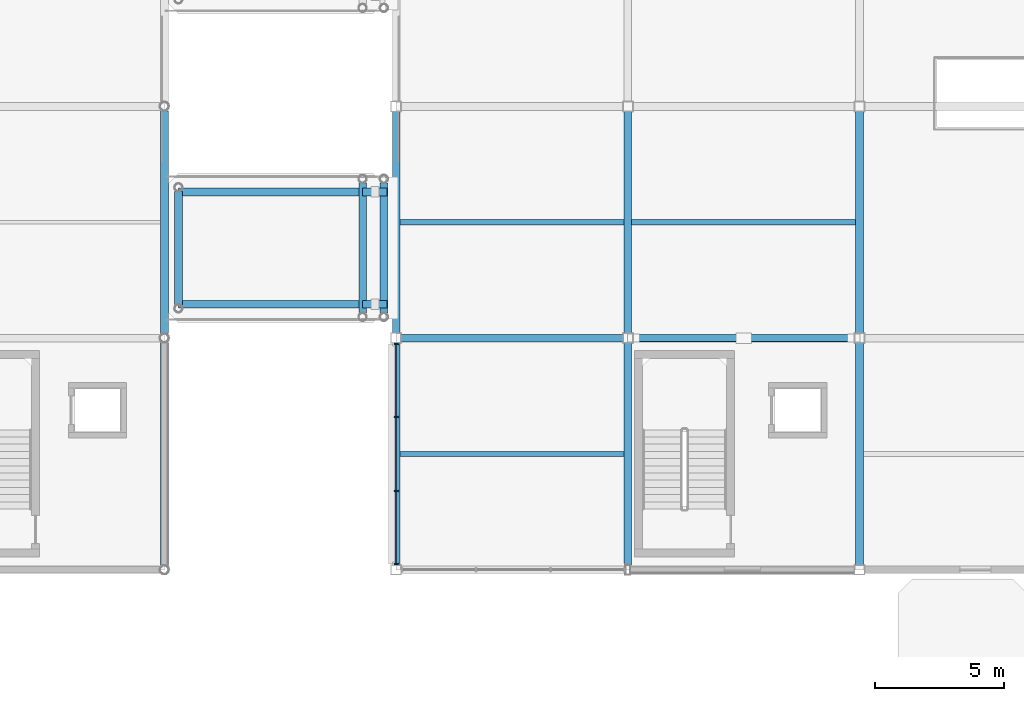
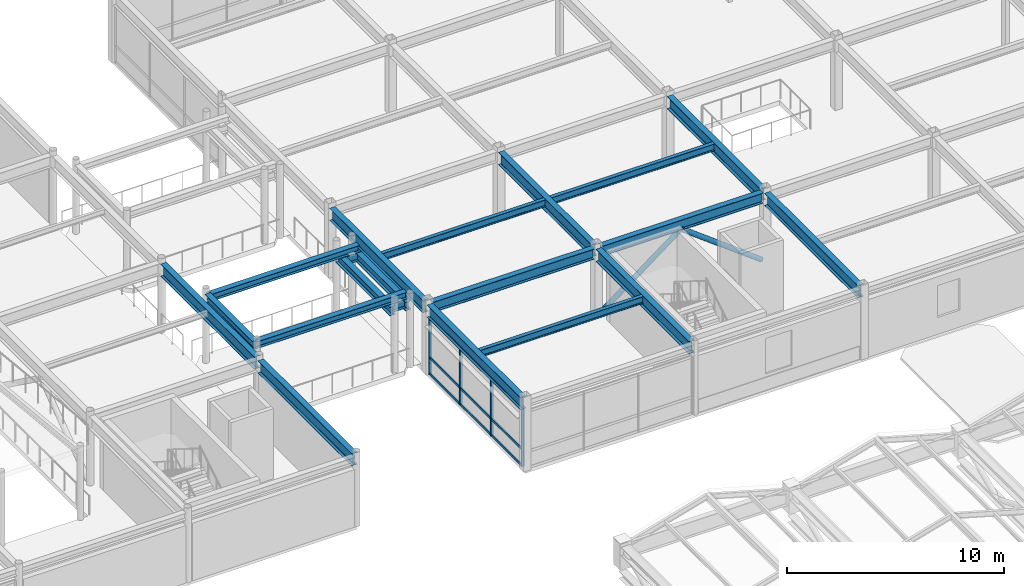
# One storey, part 37 of 108: 20 beams, 15 members, 1 element without a shape of its own.
"""IFC4 building model written with IfcOpenShell, lengths in metres."""

import ifcopenshell
import ifcopenshell.guid

model = None  # the IFC model being written
_history = None  # IfcOwnerHistory: only IFC2X3 demands one
_inside = {}  # id of a spatial element -> (the spatial element, [elements in it])
_under = {}  # id of a project, library or spatial element -> (it, [spatial elements below it])
_declared = {}  # id of a project -> (the project, [libraries it declares])
_typed = {}  # id of a type object -> (the type object, [elements of that type])
_made_of = {}  # id of a material, layer set ... -> (it, [elements and type objects made of it])


def new_model(schema):
    """Start an empty IFC model of exactly this schema.

    Asked for "IFC4X3", IfcOpenShell would pick the latest addendum, in which some entities
    have other attributes; the version numbers below select the first issue.
    IFC2X3 requires an IfcOwnerHistory on every rooted entity: one is made here for all.
    """
    global model, _history
    if schema == "IFC4X3":
        model = ifcopenshell.file(schema_version=(4, 3, 0, 0))
    else:
        model = ifcopenshell.file(schema=schema)
    _inside.clear()
    _under.clear()
    _declared.clear()
    _typed.clear()
    _made_of.clear()
    _history = None
    if model.schema == "IFC2X3":
        org = make("IfcOrganization", Name="unknown")
        user = make(
            "IfcPersonAndOrganization",
            ThePerson=make("IfcPerson", FamilyName="unknown"),
            TheOrganization=org,
        )
        app = make(
            "IfcApplication",
            ApplicationDeveloper=org,
            Version="unknown",
            ApplicationFullName="unknown",
            ApplicationIdentifier="unknown",
        )
        _history = make(
            "IfcOwnerHistory",
            OwningUser=user,
            OwningApplication=app,
            ChangeAction="ADDED",
            CreationDate=0,
        )
    return model


def make(cls, **values):
    """One entity of the class cls with the attributes given. An attribute that is None is left unset."""
    return model.create_entity(
        cls, **{name: value for name, value in values.items() if value is not None}
    )


def rooted(cls, **values):
    """An entity with a GlobalId (a new one), such as an element, a storey or a relation."""
    return make(cls, GlobalId=ifcopenshell.guid.new(), OwnerHistory=_history, **values)


def si_unit(unit_type, name, prefix=None):
    """IfcSIUnit, for example si_unit("LENGTHUNIT", "METRE", prefix="MILLI")."""
    return make("IfcSIUnit", UnitType=unit_type, Prefix=prefix, Name=name)


def assignment(units):
    """IfcUnitAssignment: the units of a project."""
    return None if units is None else make("IfcUnitAssignment", Units=units)


def point(xyz):
    """IfcCartesianPoint."""
    return None if xyz is None else make("IfcCartesianPoint", Coordinates=xyz)


def direction(xyz):
    """IfcDirection."""
    return None if xyz is None else make("IfcDirection", DirectionRatios=xyz)


def frame(location, z_axis=None, x_axis=None):
    """IfcAxis2Placement3D, a coordinate frame: its origin and axes. An axis left out is left unset."""
    return make(
        "IfcAxis2Placement3D",
        Location=point(location),
        Axis=direction(z_axis),
        RefDirection=direction(x_axis),
    )


def frame_2d(location, x_axis=None):
    """IfcAxis2Placement2D, a coordinate frame in the plane: its origin and x axis."""
    return make(
        "IfcAxis2Placement2D", Location=point(location), RefDirection=direction(x_axis)
    )


def origin():
    """The frame at (0, 0, 0) with its axes left unset."""
    return frame((0.0, 0.0, 0.0))


def origin_2d():
    """The frame at (0, 0) in the plane with its x axis left unset."""
    return frame_2d((0.0, 0.0))


def place(relative_to, where):
    """IfcLocalPlacement: puts the frame where relative to a parent placement (None: the world)."""
    return make(
        "IfcLocalPlacement", PlacementRelTo=relative_to, RelativePlacement=where
    )


def context(
    kind, dimensions, precision=None, world=None, true_north=None, identifier=None
):
    """IfcGeometricRepresentationContext, for example the 3D "Model" context."""
    return make(
        "IfcGeometricRepresentationContext",
        ContextIdentifier=identifier,
        ContextType=kind,
        CoordinateSpaceDimension=dimensions,
        Precision=precision,
        WorldCoordinateSystem=world,
        TrueNorth=true_north,
    )


def subcontext(parent, identifier, kind, view, scale=None):
    """IfcGeometricRepresentationSubContext, for example "Body" below "Model"."""
    return make(
        "IfcGeometricRepresentationSubContext",
        ContextIdentifier=identifier,
        ContextType=kind,
        ParentContext=parent,
        TargetScale=scale,
        TargetView=view,
    )


def project(units=None, contexts=None):
    """IfcProject with its units and contexts."""
    return rooted(
        "IfcProject",
        Name="project",
        RepresentationContexts=contexts,
        UnitsInContext=assignment(units),
    )


def spatial(cls, under=None, at=None, **own):
    """A site, building, storey or space (cls), placed at a placement, below another one or the project."""
    s = rooted(cls, ObjectPlacement=at, **own)
    if under is not None:
        _under.setdefault(under.id(), (under, []))[1].append(s)
    return s


def profile(cls, at=None, kind="AREA", **sizes):
    """A parametric profile (cls). Its sizes go by their IFC names, for example OverallWidth=200.0."""
    return make(cls, ProfileType=kind, Position=at, **sizes)


def rectangle(**sizes):
    """IfcRectangleProfileDef."""
    return profile("IfcRectangleProfileDef", **sizes)


def hollow_circle(**sizes):
    """IfcCircleHollowProfileDef."""
    return profile("IfcCircleHollowProfileDef", **sizes)


def i_section(**sizes):
    """IfcIShapeProfileDef."""
    return profile("IfcIShapeProfileDef", **sizes)


def extrude(swept, where, along, depth):
    """IfcExtrudedAreaSolid: the profile swept, set in the frame where, extruded along a direction by depth."""
    return make(
        "IfcExtrudedAreaSolid",
        SweptArea=swept,
        Position=where,
        ExtrudedDirection=direction(along),
        Depth=depth,
    )


def shape(context_of_items, identifier, shape_type, items):
    """IfcShapeRepresentation: the items that make up one representation, for example the "Body"."""
    return make(
        "IfcShapeRepresentation",
        ContextOfItems=context_of_items,
        RepresentationIdentifier=identifier,
        RepresentationType=shape_type,
        Items=items,
    )


def material(Name=None, Category=None):
    """IfcMaterial."""
    return make("IfcMaterial", Name=Name, Category=Category)


def material_profile(
    of_material, cross_section, Name=None, Category=None, Priority=None
):
    """IfcMaterialProfile: a cross section and its material."""
    return make(
        "IfcMaterialProfile",
        Name=Name,
        Material=of_material,
        Profile=cross_section,
        Priority=Priority,
        Category=Category,
    )


def profile_set(profiles, Name=None, composite=None):
    """IfcMaterialProfileSet."""
    return make(
        "IfcMaterialProfileSet",
        Name=Name,
        MaterialProfiles=profiles,
        CompositeProfile=composite,
    )


def made_of(thing, what):
    """Note that an element or type object is made of a material, layer set ...; save() writes the relation."""
    if what is not None:
        _made_of.setdefault(what.id(), (what, []))[1].append(thing)
    return thing


def type_object(cls, material=None, **own):
    """A type object (cls), such as IfcWallType, which elements share."""
    return made_of(rooted(cls, **own), material)


def element(
    cls,
    number,
    at=None,
    inside=None,
    cuts=None,
    type_object=None,
    material=None,
    context=None,
    identifier="Body",
    shape_type=None,
    held_by="IfcProductDefinitionShape",
    body=None,
    shapes=None,
    **own,
):
    """One element of the class cls, such as IfcWall. Its Tag is "e" and its number.

    at: its placement. inside: the storey or other place that contains it. cuts: it is an
    opening in that element (IfcRelVoidsElement). A single representation is given by context,
    identifier, shape_type and body (its items); several are given by shapes. held_by: the class
    of the entity that holds the representations. save() writes the other relations.
    """
    e = rooted(cls, Tag="e%d" % number, ObjectPlacement=at, **own)
    if body is not None:
        shapes = [shape(context, identifier, shape_type, body)]
    if shapes is not None:
        e.Representation = make(held_by, Representations=shapes)
    if inside is not None:
        _inside.setdefault(inside.id(), (inside, []))[1].append(e)
    if cuts is not None:
        rooted(
            "IfcRelVoidsElement", RelatingBuildingElement=cuts, RelatedOpeningElement=e
        )
    if type_object is not None:
        _typed.setdefault(type_object.id(), (type_object, []))[1].append(e)
    return made_of(e, material)


def aggregate(whole, parts):
    """IfcRelAggregates: a whole, such as a stair, and the parts it consists of."""
    return rooted("IfcRelAggregates", RelatingObject=whole, RelatedObjects=parts)


def save(model, path):
    """Write the relations noted so far, then the file.

    IfcRelAggregates (storeys below a building ...), IfcRelContainedInSpatialStructure (elements
    in a storey), IfcRelDefinesByType, IfcRelAssociatesMaterial and IfcRelDeclares: one each for
    every whole, place, type object, material and project.
    """
    for whole, parts in _under.values():
        aggregate(whole, parts)
    for where, things in _inside.values():
        rooted(
            "IfcRelContainedInSpatialStructure",
            RelatedElements=things,
            RelatingStructure=where,
        )
    for kind, things in _typed.values():
        rooted("IfcRelDefinesByType", RelatedObjects=things, RelatingType=kind)
    for what, things in _made_of.values():
        rooted("IfcRelAssociatesMaterial", RelatedObjects=things, RelatingMaterial=what)
    for by, libraries in _declared.values():
        rooted("IfcRelDeclares", RelatingContext=by, RelatedDefinitions=libraries)
    model.write(path)


model = new_model("IFC4")

# Units and contexts
model_context = context("Model", 3, precision=1e-05, world=origin(), true_north=direction((0.0, 1.0)))
body_context = subcontext(model_context, "Body", "Model", "MODEL_VIEW")
ifc_project = project(units=[si_unit("LENGTHUNIT", "METRE"), si_unit("AREAUNIT", "SQUARE_METRE"), si_unit("VOLUMEUNIT", "CUBIC_METRE"), si_unit("PLANEANGLEUNIT", "RADIAN"), si_unit("MASSUNIT", "GRAM", prefix="KILO")], contexts=[model_context])

# Site, building, storey
site_placement = place(None, origin())
site = spatial("IfcSite", under=ifc_project, at=site_placement, CompositionType="ELEMENT")
building_placement = place(site_placement, origin())
building = spatial("IfcBuilding", under=site, at=building_placement, Name="Suzunagisa Mobility Hub", CompositionType="ELEMENT")
storey_placement = place(building_placement, frame((0.0, 0.0, 9.300048828125)))
storey = spatial("IfcBuildingStorey", under=building, at=storey_placement, Name="L02", CompositionType="ELEMENT", Elevation=9.300048828125)

# Curtain wall, members
ifc_material_1 = material(Name="Thermally Broken Anodized Aluminum and Low-E Glazing", Category="aluminium")
curtain_wall_type = type_object("IfcCurtainWallType", Name="Unitised Curtain Wall CW-18 8500x3200", PredefinedType="USERDEFINED", material=ifc_material_1)
curtain_wall_placement = place(storey_placement, origin())
curtain_wall = element("IfcCurtainWall", 1, at=curtain_wall_placement, inside=storey, type_object=curtain_wall_type, Name="L02 Unitised Curtain Wall CW-120", ObjectType="UNITISED CURTAIN WALL", PredefinedType="USERDEFINED")
ifc_material_2 = material(Name="Anodized Aluminum 6063-T6", Category="aluminium")
ifc_material_profile_1 = material_profile(ifc_material_2, rectangle(XDim=0.06494140625, YDim=0.139892578125, at=origin_2d()), Name="TRAN-65x140")
ifc_profile_set_1 = profile_set([ifc_material_profile_1], Name="Anodized Aluminum 6063-T6")
member_type_1 = type_object("IfcMemberType", Name="Curtain Wall Framing CM-01 TRAN-65x140", PredefinedType="USERDEFINED", material=ifc_profile_set_1)
member_1_placement = place(storey_placement, frame((45.0, 88.741943359375, 0.032470703125), z_axis=(0.0, -1.0, 0.0), x_axis=(1.0, 0.0, 0.0)))
member_1 = element("IfcMember", 2, at=member_1_placement, type_object=member_type_1, Name="Curtain Wall Transom 120-T1.1", ObjectType="TRANSOM", PredefinedType="USERDEFINED", context=body_context, shape_type="SweptSolid", body=[
    extrude(rectangle(XDim=0.06494140625, YDim=0.139892578125, at=origin_2d()), origin(), (0.0, 0.0, 1.0), 2.78076171875),
])
member_2_placement = place(storey_placement, frame((45.0, 88.741943359375, 0.949951171875), z_axis=(0.0, -1.0, 0.0), x_axis=(1.0, 0.0, 0.0)))
member_2 = element("IfcMember", 3, at=member_2_placement, type_object=member_type_1, Name="Curtain Wall Transom 120-T1.2", ObjectType="TRANSOM", PredefinedType="USERDEFINED", context=body_context, shape_type="SweptSolid", body=[
    extrude(rectangle(XDim=0.06494140625, YDim=0.139892578125, at=origin_2d()), origin(), (0.0, 0.0, 1.0), 2.78076171875),
])
member_3_placement = place(storey_placement, frame((45.0, 88.741943359375, 3.217529296875), z_axis=(0.0, -1.0, 0.0), x_axis=(1.0, 0.0, 0.0)))
member_3 = element("IfcMember", 4, at=member_3_placement, type_object=member_type_1, Name="Curtain Wall Transom 120-T1.3", ObjectType="TRANSOM", PredefinedType="USERDEFINED", context=body_context, shape_type="SweptSolid", body=[
    extrude(rectangle(XDim=0.06494140625, YDim=0.139892578125, at=origin_2d()), origin(), (0.0, 0.0, 1.0), 2.78076171875),
])
member_4_placement = place(storey_placement, frame((45.0, 85.9052734375, 0.032470703125), z_axis=(0.0, -1.0, 0.0), x_axis=(1.0, 0.0, 0.0)))
member_4 = element("IfcMember", 5, at=member_4_placement, type_object=member_type_1, Name="Curtain Wall Transom 120-T2.1", ObjectType="TRANSOM", PredefinedType="USERDEFINED", context=body_context, shape_type="SweptSolid", body=[
    extrude(rectangle(XDim=0.06494140625, YDim=0.139892578125, at=origin_2d()), origin(), (0.0, 0.0, 1.0), 2.810546875),
])
member_5_placement = place(storey_placement, frame((45.0, 85.9052734375, 0.949951171875), z_axis=(0.0, -1.0, 0.0), x_axis=(1.0, 0.0, 0.0)))
member_5 = element("IfcMember", 6, at=member_5_placement, type_object=member_type_1, Name="Curtain Wall Transom 120-T2.2", ObjectType="TRANSOM", PredefinedType="USERDEFINED", context=body_context, shape_type="SweptSolid", body=[
    extrude(rectangle(XDim=0.06494140625, YDim=0.139892578125, at=origin_2d()), origin(), (0.0, 0.0, 1.0), 2.810546875),
])
member_6_placement = place(storey_placement, frame((45.0, 85.9052734375, 3.217529296875), z_axis=(0.0, -1.0, 0.0), x_axis=(1.0, 0.0, 0.0)))
member_6 = element("IfcMember", 7, at=member_6_placement, type_object=member_type_1, Name="Curtain Wall Transom 120-T2.3", ObjectType="TRANSOM", PredefinedType="USERDEFINED", context=body_context, shape_type="SweptSolid", body=[
    extrude(rectangle(XDim=0.06494140625, YDim=0.139892578125, at=origin_2d()), origin(), (0.0, 0.0, 1.0), 2.810546875),
])
member_7_placement = place(storey_placement, frame((45.0, 83.038818359375, 0.032470703125), z_axis=(0.0, -1.0, 0.0), x_axis=(1.0, 0.0, 0.0)))
member_7 = element("IfcMember", 8, at=member_7_placement, type_object=member_type_1, Name="Curtain Wall Transom 120-T3.1", ObjectType="TRANSOM", PredefinedType="USERDEFINED", context=body_context, shape_type="SweptSolid", body=[
    extrude(rectangle(XDim=0.06494140625, YDim=0.139892578125, at=origin_2d()), origin(), (0.0, 0.0, 1.0), 2.78076171875),
])
member_8_placement = place(storey_placement, frame((45.0, 83.038818359375, 0.949951171875), z_axis=(0.0, -1.0, 0.0), x_axis=(1.0, 0.0, 0.0)))
member_8 = element("IfcMember", 9, at=member_8_placement, type_object=member_type_1, Name="Curtain Wall Transom 120-T3.2", ObjectType="TRANSOM", PredefinedType="USERDEFINED", context=body_context, shape_type="SweptSolid", body=[
    extrude(rectangle(XDim=0.06494140625, YDim=0.139892578125, at=origin_2d()), origin(), (0.0, 0.0, 1.0), 2.78076171875),
])
member_9_placement = place(storey_placement, frame((45.0, 83.038818359375, 3.217529296875), z_axis=(0.0, -1.0, 0.0), x_axis=(1.0, 0.0, 0.0)))
member_9 = element("IfcMember", 10, at=member_9_placement, type_object=member_type_1, Name="Curtain Wall Transom 120-T3.3", ObjectType="TRANSOM", PredefinedType="USERDEFINED", context=body_context, shape_type="SweptSolid", body=[
    extrude(rectangle(XDim=0.06494140625, YDim=0.139892578125, at=origin_2d()), origin(), (0.0, 0.0, 1.0), 2.78076171875),
])
ifc_material_profile_2 = material_profile(ifc_material_2, rectangle(XDim=0.06005859375, YDim=0.14990234375, at=origin_2d()), Name="MULL-60x150")
ifc_profile_set_2 = profile_set([ifc_material_profile_2], Name="Anodized Aluminum 6063-T6")
member_type_2 = type_object("IfcMemberType", Name="Curtain Wall Framing CM-03 MULL-60x150", PredefinedType="MULLION", material=ifc_profile_set_2)
member_10_placement = place(storey_placement, frame((45.0, 88.77001953125, 0.0), z_axis=(0.0, 0.0, 1.0), x_axis=(0.0, -1.0, 0.0)))
member_10 = element("IfcMember", 11, at=member_10_placement, type_object=member_type_2, Name="Curtain Wall Mullion 120-M1", PredefinedType="MULLION", context=body_context, shape_type="SweptSolid", body=[
    extrude(rectangle(XDim=0.06005859375, YDim=0.14990234375, at=origin_2d()), origin(), (0.0, 0.0, 1.0), 3.25),
])
member_11_placement = place(storey_placement, frame((45.0, 85.933349609375, 0.0), z_axis=(0.0, 0.0, 1.0), x_axis=(0.0, -1.0, 0.0)))
member_11 = element("IfcMember", 12, at=member_11_placement, type_object=member_type_2, Name="Curtain Wall Mullion 120-M2", PredefinedType="MULLION", context=body_context, shape_type="SweptSolid", body=[
    extrude(rectangle(XDim=0.06005859375, YDim=0.14990234375, at=origin_2d()), origin(), (0.0, 0.0, 1.0), 3.25),
])
member_12_placement = place(storey_placement, frame((45.0, 83.066650390625, 0.0), z_axis=(0.0, 0.0, 1.0), x_axis=(0.0, -1.0, 0.0)))
member_12 = element("IfcMember", 13, at=member_12_placement, type_object=member_type_2, Name="Curtain Wall Mullion 120-M3", PredefinedType="MULLION", context=body_context, shape_type="SweptSolid", body=[
    extrude(rectangle(XDim=0.06005859375, YDim=0.14990234375, at=origin_2d()), origin(), (0.0, 0.0, 1.0), 3.25),
])
member_13_placement = place(storey_placement, frame((45.0, 80.22998046875, 0.0), z_axis=(0.0, 0.0, 1.0), x_axis=(0.0, -1.0, 0.0)))
member_13 = element("IfcMember", 14, at=member_13_placement, type_object=member_type_2, Name="Curtain Wall Mullion 120-M4", PredefinedType="MULLION", context=body_context, shape_type="SweptSolid", body=[
    extrude(rectangle(XDim=0.06005859375, YDim=0.14990234375, at=origin_2d()), origin(), (0.0, 0.0, 1.0), 3.25),
])
aggregate(curtain_wall, [member_10, member_11, member_12, member_13, member_1, member_2, member_3, member_4, member_5, member_6, member_7, member_8, member_9])

# Members
ifc_material_3 = material(Name="Steel SN490B", Category="steel")
ifc_material_profile_3 = material_profile(ifc_material_3, hollow_circle(Radius=0.1337890625, WallThickness=0.00927734375, at=origin_2d()), Name="CHS-267.4x9.3")
ifc_profile_set_3 = profile_set([ifc_material_profile_3], Name="Steel SN490B")
member_type_3 = type_object("IfcMemberType", Name="Roof Truss and Brace Member MB-06 CHS-267.4x9.3", PredefinedType="BRACE", material=ifc_profile_set_3)
for number, where, z_axis, x_axis, name in (
    (15, (54.219970703125, 89.0, 0.119873046875), (0.798384949274, 0.0, 0.602147384593), (0.0, 1.0, 0.0), "L02 Concentric Lateral Brace BR-31"),
    (16, (62.780029296875, 89.0, 0.119873046875), (-0.798384949274, 0.0, 0.602147384593), (0.0, -1.0, 0.0), "L02 Concentric Lateral Brace BR-32"),
):
    element("IfcMember", number, at=place(storey_placement, frame(where, z_axis=z_axis, x_axis=x_axis)), inside=storey, type_object=member_type_3, Name=name, PredefinedType="BRACE", context=body_context, shape_type="SweptSolid", body=[
        extrude(hollow_circle(Radius=0.1337890625, WallThickness=0.00927734375, at=origin_2d()), origin(), (0.0, 0.0, 1.0), 5.36083984375),
    ])

# Beams
ifc_material_profile_4 = material_profile(ifc_material_3, i_section(OverallWidth=0.300048828125, OverallDepth=0.488037109375, WebThickness=0.010986328125, FlangeThickness=0.01806640625, FilletRadius=0.012939453125, at=origin_2d()), Name="H-488x300x11x18")
ifc_profile_set_4 = profile_set([ifc_material_profile_4], Name="Steel SN490B")
beam_type_1 = type_object("IfcBeamType", Name="Steel Beam BM-06 H-488x300x11x18", PredefinedType="BEAM", material=ifc_profile_set_4)
beam_placement = place(storey_placement, frame((36.550048828125, 90.31005859375, 3.696044921875), z_axis=(0.0, 1.0, 0.0), x_axis=(-1.0, 0.0, 0.0)))
element("IfcBeam", 17, at=beam_placement, inside=storey, type_object=beam_type_1, Name="L03 Skybridge Fixed Crosshead VRL-L03-S", PredefinedType="BEAM", context=body_context, shape_type="SweptSolid", body=[
    extrude(i_section(OverallWidth=0.300048828125, OverallDepth=0.488037109375, WebThickness=0.010986328125, FlangeThickness=0.01806640625, FilletRadius=0.012939453125, at=origin_2d()), origin(), (0.0, 0.0, 1.0), 4.3798828125),
])
for number, where, z_axis, x_axis, name in (
    (18, (43.699951171875, 89.97998046875, 3.305908203125), (0.0, 1.0, 0.0), (-1.0, 0.0, 0.0), "L03 Skybridge Seat Crosshead VRL-L03-S-W"),
    (19, (44.530029296875, 89.97998046875, 3.305908203125), (0.0, 1.0, 0.0), (-1.0, 0.0, 0.0), "L03 Skybridge Seat Crosshead VRL-L03-S-E"),
):
    element("IfcBeam", number, at=place(storey_placement, frame(where, z_axis=z_axis, x_axis=x_axis)), inside=storey, type_object=beam_type_1, Name=name, PredefinedType="BEAM", context=body_context, shape_type="SweptSolid", body=[
        extrude(i_section(OverallWidth=0.300048828125, OverallDepth=0.488037109375, WebThickness=0.010986328125, FlangeThickness=0.01806640625, FilletRadius=0.012939453125, at=origin_2d()), origin(), (0.0, 0.0, 1.0), 5.0400390625),
    ])
for number, where, z_axis, x_axis, name in (
    (20, (43.699951171875, 90.320068359375, 3.305908203125), (1.0, 0.0, 0.0), (0.0, 1.0, 0.0), "L03 Skybridge 950mm Bearing Seat VRL-L03-S-A"),
    (21, (43.699951171875, 94.679931640625, 3.305908203125), (1.0, 0.0, 0.0), (0.0, 1.0, 0.0), "L03 Skybridge 950mm Bearing Seat VRL-L03-S-B"),
):
    element("IfcBeam", number, at=place(storey_placement, frame(where, z_axis=z_axis, x_axis=x_axis)), inside=storey, type_object=beam_type_1, Name=name, PredefinedType="BEAM", context=body_context, shape_type="SweptSolid", body=[
        extrude(i_section(OverallWidth=0.300048828125, OverallDepth=0.488037109375, WebThickness=0.010986328125, FlangeThickness=0.01806640625, FilletRadius=0.012939453125, at=origin_2d()), origin(), (0.0, 0.0, 1.0), 0.949951171875),
    ])
ifc_material_profile_5 = material_profile(ifc_material_3, i_section(OverallWidth=0.300048828125, OverallDepth=0.699951171875, WebThickness=0.012939453125, FlangeThickness=0.02392578125, FilletRadius=0.01806640625, at=origin_2d()), Name="H-700x300x13x24")
ifc_profile_set_5 = profile_set([ifc_material_profile_5], Name="Steel SN490B")
beam_type_2 = type_object("IfcBeamType", Name="Steel Beam BM-11 H-700x300x13x24", PredefinedType="BEAM", material=ifc_profile_set_5)
for number, where, z_axis, x_axis, name in (
    (22, (36.0, 80.173828125, 3.599853515625), (0.0, 1.0, 0.0), (-1.0, 0.0, 0.0), "L02 Primary Girder GY-544"),
    (23, (36.0, 89.173828125, 3.58984375), (0.0, 1.0, 0.0), (-1.0, 0.0, 0.0), "L02 Primary Girder GY-545"),
):
    element("IfcBeam", number, at=place(storey_placement, frame(where, z_axis=z_axis, x_axis=x_axis)), inside=storey, type_object=beam_type_2, Name=name, PredefinedType="BEAM", context=body_context, shape_type="SweptSolid", body=[
        extrude(i_section(OverallWidth=0.300048828125, OverallDepth=0.699951171875, WebThickness=0.012939453125, FlangeThickness=0.02392578125, FilletRadius=0.01806640625, at=origin_2d()), origin(), (0.0, 0.0, 1.0), 8.65234375),
    ])
for number, where, z_axis, x_axis, name in (
    (24, (45.0, 80.196044921875, 3.599853515625), (0.0, 1.0, 0.0), (-1.0, 0.0, 0.0), "L02 Primary Girder GY-959"),
    (25, (45.0, 89.196044921875, 3.599853515625), (0.0, 1.0, 0.0), (-1.0, 0.0, 0.0), "L02 Primary Girder GY-960"),
    (26, (54.0, 80.196044921875, 3.599853515625), (0.0, 1.0, 0.0), (-1.0, 0.0, 0.0), "L02 Primary Girder GY-963"),
    (27, (54.0, 89.196044921875, 3.599853515625), (0.0, 1.0, 0.0), (-1.0, 0.0, 0.0), "L02 Primary Girder GY-964"),
    (28, (63.0, 80.196044921875, 3.599853515625), (0.0, 1.0, 0.0), (-1.0, 0.0, 0.0), "L02 Primary Girder GY-967"),
    (29, (63.0, 89.196044921875, 3.599853515625), (0.0, 1.0, 0.0), (-1.0, 0.0, 0.0), "L02 Primary Girder GY-968"),
):
    element("IfcBeam", number, at=place(storey_placement, frame(where, z_axis=z_axis, x_axis=x_axis)), inside=storey, type_object=beam_type_2, Name=name, PredefinedType="BEAM", context=body_context, shape_type="SweptSolid", body=[
        extrude(i_section(OverallWidth=0.300048828125, OverallDepth=0.699951171875, WebThickness=0.012939453125, FlangeThickness=0.02392578125, FilletRadius=0.01806640625, at=origin_2d()), origin(), (0.0, 0.0, 1.0), 8.60791015625),
    ])
ifc_material_4 = material(Name="Steel SN400B", Category="steel")
ifc_material_profile_6 = material_profile(ifc_material_4, i_section(OverallWidth=0.199951171875, OverallDepth=0.39990234375, WebThickness=0.008056640625, FlangeThickness=0.012939453125, FilletRadius=0.012939453125, at=origin_2d()), Name="H-400x200x8x13")
ifc_profile_set_6 = profile_set([ifc_material_profile_6], Name="Steel SN400B")
beam_type_3 = type_object("IfcBeamType", Name="Steel Beam BM-14 H-400x200x8x13", PredefinedType="JOIST", material=ifc_profile_set_6)
for number, where, z_axis, x_axis, name in (
    (30, (45.14990234375, 84.5, 3.75), (1.0, 0.0, 0.0), (0.0, 1.0, 0.0), "L02 Composite Floor Joist J-999"),
    (31, (45.14990234375, 93.5, 3.75), (1.0, 0.0, 0.0), (0.0, 1.0, 0.0), "L02 Composite Floor Joist J-1000"),
    (32, (54.14990234375, 93.5, 3.75), (1.0, 0.0, 0.0), (0.0, 1.0, 0.0), "L02 Composite Floor Joist J-1003"),
):
    element("IfcBeam", number, at=place(storey_placement, frame(where, z_axis=z_axis, x_axis=x_axis)), inside=storey, type_object=beam_type_3, Name=name, PredefinedType="JOIST", context=body_context, shape_type="SweptSolid", body=[
        extrude(i_section(OverallWidth=0.199951171875, OverallDepth=0.39990234375, WebThickness=0.008056640625, FlangeThickness=0.012939453125, FilletRadius=0.012939453125, at=origin_2d()), origin(), (0.0, 0.0, 1.0), 8.7001953125),
    ])
ifc_material_profile_7 = material_profile(ifc_material_3, i_section(OverallWidth=0.300048828125, OverallDepth=0.587890625, WebThickness=0.011962890625, FlangeThickness=0.02001953125, FilletRadius=0.012939453125, at=origin_2d()), Name="H-588x300x12x20")
ifc_profile_set_7 = profile_set([ifc_material_profile_7], Name="Steel SN490B")
beam_type_4 = type_object("IfcBeamType", Name="Steel Beam BM-16 H-588x300x12x20", PredefinedType="BEAM", material=ifc_profile_set_7)
for number, where, z_axis, x_axis, name in (
    (33, (45.196044921875, 89.0, 3.656005859375), (1.0, 0.0, 0.0), (0.0, 1.0, 0.0), "L02 Primary Girder GX-924"),
    (34, (54.196044921875, 89.0, 3.656005859375), (1.0, 0.0, 0.0), (0.0, 1.0, 0.0), "L02 Primary Girder GX-925"),
):
    element("IfcBeam", number, at=place(storey_placement, frame(where, z_axis=z_axis, x_axis=x_axis)), inside=storey, type_object=beam_type_4, Name=name, PredefinedType="BEAM", context=body_context, shape_type="SweptSolid", body=[
        extrude(i_section(OverallWidth=0.300048828125, OverallDepth=0.587890625, WebThickness=0.011962890625, FlangeThickness=0.02001953125, FilletRadius=0.012939453125, at=origin_2d()), origin(), (0.0, 0.0, 1.0), 8.60791015625),
    ])
ifc_material_profile_8 = material_profile(ifc_material_3, i_section(OverallWidth=0.300048828125, OverallDepth=0.389892578125, WebThickness=0.010009765625, FlangeThickness=0.01611328125, FilletRadius=0.012939453125, at=origin_2d()), Name="H-390x300x10x16")
ifc_profile_set_8 = profile_set([ifc_material_profile_8], Name="Steel SN490B")
beam_type_5 = type_object("IfcBeamType", Name="Steel Beam BM-17 H-390x300x10x16", PredefinedType="T_BEAM", material=ifc_profile_set_8)
for number, where, z_axis, x_axis, name in (
    (35, (36.550048828125, 90.320068359375, 3.744873046875), (1.0, 0.0, 0.0), (0.0, 1.0, 0.0), "L03 Bridge Girder VRL-L03-S-A"),
    (36, (36.550048828125, 94.679931640625, 3.744873046875), (1.0, 0.0, 0.0), (0.0, 1.0, 0.0), "L03 Bridge Girder VRL-L03-S-B"),
):
    element("IfcBeam", number, at=place(storey_placement, frame(where, z_axis=z_axis, x_axis=x_axis)), inside=storey, type_object=beam_type_5, Name=name, PredefinedType="T_BEAM", context=body_context, shape_type="SweptSolid", body=[
        extrude(i_section(OverallWidth=0.300048828125, OverallDepth=0.389892578125, WebThickness=0.010009765625, FlangeThickness=0.01611328125, FilletRadius=0.012939453125, at=origin_2d()), origin(), (0.0, 0.0, 1.0), 8.02001953125),
    ])

save(model, "model.ifc")
